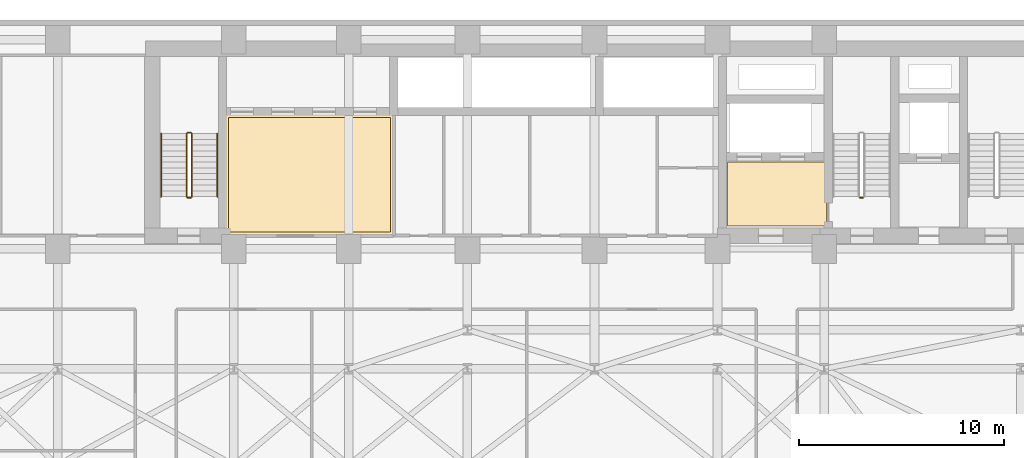
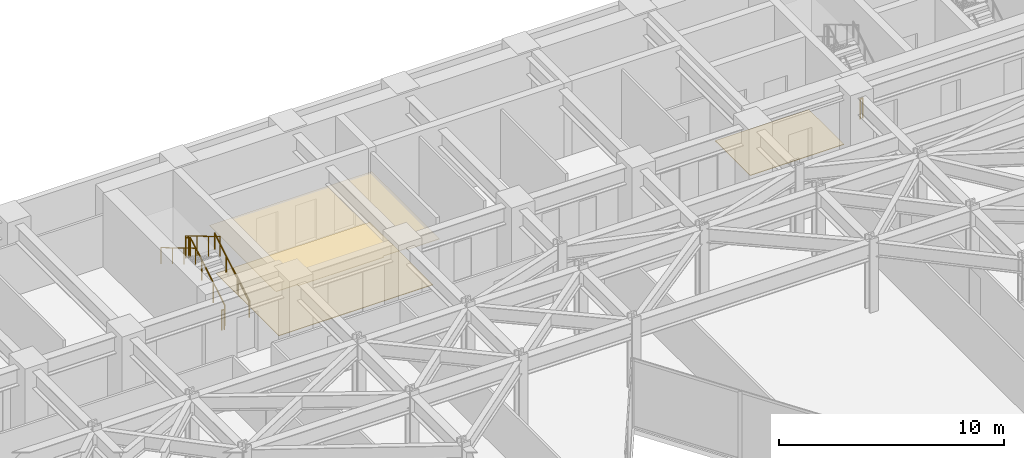
# One storey, part 23 of 24: 7 railings, 3 coverings.
"""IFC4 building model written with IfcOpenShell, lengths in metres."""

from ifc_helpers import new_model, si_unit, direction, frame, origin, origin_2d, place, context, subcontext, project, spatial, polyline, circle, outline, extrude, material, layer, layer_set, type_object, element, save


model = new_model("IFC4")

# Units and contexts
model_context = context("Model", 3, precision=1e-05, world=origin(), true_north=direction((0.0, 1.0)))
body_context = subcontext(model_context, "Body", "Model", "MODEL_VIEW")
ifc_project = project(units=[si_unit("LENGTHUNIT", "METRE"), si_unit("AREAUNIT", "SQUARE_METRE"), si_unit("VOLUMEUNIT", "CUBIC_METRE"), si_unit("PLANEANGLEUNIT", "RADIAN"), si_unit("MASSUNIT", "GRAM", prefix="KILO")], contexts=[model_context])

# Site, building, storey
site_placement = place(None, origin())
site = spatial("IfcSite", under=ifc_project, at=site_placement, CompositionType="ELEMENT")
building_placement = place(site_placement, origin())
building = spatial("IfcBuilding", under=site, at=building_placement, Name="Kravanh Interchange Tower", CompositionType="ELEMENT")
storey_placement = place(building_placement, frame((0.0, 0.0, 77.5)))
storey = spatial("IfcBuildingStorey", under=building, at=storey_placement, Name="L18", CompositionType="ELEMENT", Elevation=77.5)

# Coverings
ifc_material_1 = material(Name="Cementitious Terrazzo Tile")
ifc_layer_1 = layer(ifc_material_1, 0.030029296875)
ifc_layer_set_1 = layer_set([ifc_layer_1], Name="Honed Terrazzo Lobby Flooring 30mm")
covering_type_1 = type_object("IfcCoveringType", Name="Honed Terrazzo Lobby Flooring 30mm", PredefinedType="FLOORING", material=ifc_layer_set_1)
covering_1_placement = place(storey_placement, origin())
element("IfcCovering", 1, at=covering_1_placement, inside=storey, type_object=covering_type_1, Name="L18 Firefighting Lobby Floor Finish", PredefinedType="FLOORING", context=body_context, shape_type="SweptSolid", body=[
    extrude(outline(polyline([(56.1201171875, 38.4599609375), (51.300048828125, 38.4599609375), (51.300048828125, 41.580078125), (56.1201171875, 41.580078125), (56.1201171875, 38.4599609375)])), origin(), (0.0, 0.0, 1.0), 0.030029296875),
])
covering_2_placement = place(storey_placement, origin())
element("IfcCovering", 2, at=covering_2_placement, inside=storey, type_object=covering_type_1, Name="L18 Low-Rise Lift Lobby Floor Finish", PredefinedType="FLOORING", context=body_context, shape_type="SweptSolid", body=[
    extrude(outline(polyline([(26.929931640625, 43.77001953125), (34.840087890625, 43.77001953125), (34.840087890625, 38.179931640625), (26.929931640625, 38.179931640625), (26.929931640625, 43.77001953125)])), origin(), (0.0, 0.0, 1.0), 0.030029296875),
])
ifc_material_2 = material(Name="Acoustic Mineral Fibre Tile on Aluminium Grid", Category="aluminium")
ifc_layer_2 = layer(ifc_material_2, 0.02490234375)
ifc_layer_set_2 = layer_set([ifc_layer_2], Name="Perforated Acoustic Mineral Ceiling 25mm")
covering_type_2 = type_object("IfcCoveringType", Name="Perforated Acoustic Mineral Ceiling 25mm", PredefinedType="CEILING", material=ifc_layer_set_2)
covering_3_placement = place(storey_placement, frame((0.0, 0.0, 2.550048828125)))
element("IfcCovering", 3, at=covering_3_placement, inside=storey, type_object=covering_type_2, Name="L18 Low-Rise Lift Lobby Suspended Ceiling", PredefinedType="CEILING", context=body_context, shape_type="SweptSolid", body=[
    extrude(outline(polyline([(35.06005859375, 37.9599609375), (33.39990234375, 37.9599609375), (33.39990234375, 38.050048828125), (32.199951171875, 38.050048828125), (32.199951171875, 37.9599609375), (27.800048828125, 37.9599609375), (27.800048828125, 38.050048828125), (26.7099609375, 38.050048828125), (26.7099609375, 43.989990234375), (35.06005859375, 43.989990234375), (35.06005859375, 37.9599609375)])), origin(), (0.0, 0.0, 1.0), 0.02490234375),
])

# Railings
ifc_material_3 = material(Name="Structural Steel S355", Category="steel")
ifc_layer_3 = layer(ifc_material_3, 0.050048828125)
ifc_layer_set_3 = layer_set([ifc_layer_3], Name="Stair Well Guardrail Structural Steel S355 1100mm")
railing_type_1 = type_object("IfcRailingType", Name="Stair Well Guardrail Structural Steel S355 1100mm", PredefinedType="GUARDRAIL", material=ifc_layer_set_3)
railing_1_placement = place(storey_placement, frame((57.89990234375, 39.85009765625, 0.0)))
element("IfcRailing", 4, at=railing_1_placement, inside=storey, type_object=railing_type_1, Name="L18 ST2 stair guard 4", PredefinedType="GUARDRAIL", context=body_context, shape_type="SweptSolid", body=[
    extrude(circle(Radius=0.02392578125, at=origin_2d()), frame((0.0, 0.0, 1.076171875), z_axis=(-1.0, 0.0, 0.0), x_axis=(0.0, -1.0, 0.0)), (0.0, 0.0, 1.0), 0.14990234375),
    extrude(circle(Radius=0.02099609375, at=origin_2d()), origin(), (0.0, 0.0, 1.0), 1.052001953125),
    extrude(circle(Radius=0.02099609375, at=origin_2d()), frame((-0.14990234375, 0.0, 0.0)), (0.0, 0.0, 1.0), 1.052001953125),
])
railing_2_placement = place(storey_placement, frame((25.14990234375, 39.89990234375, 0.166748046875)))
element("IfcRailing", 5, at=railing_2_placement, inside=storey, type_object=railing_type_1, Name="L18 ST3 stair guard 1", PredefinedType="GUARDRAIL", context=body_context, shape_type="SweptSolid", body=[
    extrude(circle(Radius=0.02392578125, at=origin_2d()), frame((0.0, 0.0, 1.076171875), z_axis=(0.0, 0.859308565015, 0.511457515432), x_axis=(-1.0, 0.0, 0.0)), (0.0, 0.0, 1.0), 3.58447265625),
    extrude(circle(Radius=0.02099609375, at=origin_2d()), origin(), (0.0, 0.0, 1.0), 1.052001953125),
    extrude(circle(Radius=0.02099609375, at=origin_2d()), frame((0.0, 1.026611328125, 0.611083984375)), (0.0, 0.0, 1.0), 1.052001953125),
    extrude(circle(Radius=0.02099609375, at=origin_2d()), frame((0.0, 2.053466796875, 1.22216796875)), (0.0, 0.0, 1.0), 1.052001953125),
    extrude(circle(Radius=0.02099609375, at=origin_2d()), frame((0.0, 3.080078125, 1.833251953125)), (0.0, 0.0, 1.0), 1.052001953125),
])
railing_3_placement = place(storey_placement, frame((25.10009765625, 43.030029296875, 2.0)))
element("IfcRailing", 6, at=railing_3_placement, inside=storey, type_object=railing_type_1, Name="L18 ST3 stair guard 2", PredefinedType="GUARDRAIL", context=body_context, shape_type="SweptSolid", body=[
    extrude(circle(Radius=0.02392578125, at=origin_2d()), frame((0.0, 0.0, 1.076171875), z_axis=(-1.0, 0.0, 0.0), x_axis=(0.0, -1.0, 0.0)), (0.0, 0.0, 1.0), 0.150146484375),
    extrude(circle(Radius=0.02099609375, at=origin_2d()), origin(), (0.0, 0.0, 1.0), 1.052001953125),
    extrude(circle(Radius=0.02099609375, at=origin_2d()), frame((-0.150146484375, 0.0, 0.0)), (0.0, 0.0, 1.0), 1.052001953125),
])
railing_4_placement = place(storey_placement, frame((24.89990234375, 42.97998046875, 2.166748046875)))
element("IfcRailing", 7, at=railing_4_placement, inside=storey, type_object=railing_type_1, Name="L18 ST3 stair guard 3", PredefinedType="GUARDRAIL", context=body_context, shape_type="SweptSolid", body=[
    extrude(circle(Radius=0.02392578125, at=origin_2d()), frame((0.0, 0.0, 1.076171875), z_axis=(0.0, -0.859308565015, 0.511457515432), x_axis=(1.0, 0.0, 0.0)), (0.0, 0.0, 1.0), 3.58447265625),
    extrude(circle(Radius=0.02099609375, at=origin_2d()), origin(), (0.0, 0.0, 1.0), 1.052001953125),
    extrude(circle(Radius=0.02099609375, at=origin_2d()), frame((0.0, -1.026611328125, 0.611083984375)), (0.0, 0.0, 1.0), 1.052001953125),
    extrude(circle(Radius=0.02099609375, at=origin_2d()), frame((0.0, -2.053466796875, 1.22216796875)), (0.0, 0.0, 1.0), 1.052001953125),
    extrude(circle(Radius=0.02099609375, at=origin_2d()), frame((0.0, -3.080078125, 1.833251953125)), (0.0, 0.0, 1.0), 1.052001953125),
])
railing_5_placement = place(storey_placement, frame((25.10009765625, 39.85009765625, 0.0)))
element("IfcRailing", 8, at=railing_5_placement, inside=storey, type_object=railing_type_1, Name="L18 ST3 stair guard 4", PredefinedType="GUARDRAIL", context=body_context, shape_type="SweptSolid", body=[
    extrude(circle(Radius=0.02392578125, at=origin_2d()), frame((0.0, 0.0, 1.076171875), z_axis=(-1.0, 0.0, 0.0), x_axis=(0.0, -1.0, 0.0)), (0.0, 0.0, 1.0), 0.150146484375),
    extrude(circle(Radius=0.02099609375, at=origin_2d()), origin(), (0.0, 0.0, 1.0), 1.052001953125),
    extrude(circle(Radius=0.02099609375, at=origin_2d()), frame((-0.150146484375, 0.0, 0.0)), (0.0, 0.0, 1.0), 1.052001953125),
])
ifc_material_4 = material(Name="Stainless Steel 304", Category="steel")
ifc_layer_4 = layer(ifc_material_4, 0.044921875)
ifc_layer_set_4 = layer_set([ifc_layer_4], Name="Tubular Stair Handrail Stainless 304 900mm")
railing_type_2 = type_object("IfcRailingType", Name="Tubular Stair Handrail Stainless 304 900mm", PredefinedType="HANDRAIL", material=ifc_layer_set_4)
railing_6_placement = place(storey_placement, frame((26.39990234375, 39.89990234375, 0.166748046875)))
element("IfcRailing", 9, at=railing_6_placement, inside=storey, type_object=railing_type_2, Name="L18 ST3 stair handrail 1", PredefinedType="HANDRAIL", context=body_context, shape_type="SweptSolid", body=[
    extrude(circle(Radius=0.02392578125, at=origin_2d()), frame((0.0, 0.0, 0.8759765625), z_axis=(0.0, 0.859308565015, 0.511457515432), x_axis=(-1.0, 0.0, 0.0)), (0.0, 0.0, 1.0), 3.58447265625),
    extrude(circle(Radius=0.02099609375, at=origin_2d()), origin(), (0.0, 0.0, 1.0), 0.851806640625),
    extrude(circle(Radius=0.02099609375, at=origin_2d()), frame((0.0, 1.026611328125, 0.611083984375)), (0.0, 0.0, 1.0), 0.851806640625),
    extrude(circle(Radius=0.02099609375, at=origin_2d()), frame((0.0, 2.053466796875, 1.22216796875)), (0.0, 0.0, 1.0), 0.851806640625),
    extrude(circle(Radius=0.02099609375, at=origin_2d()), frame((0.0, 3.080078125, 1.833251953125)), (0.0, 0.0, 1.0), 0.851806640625),
])
railing_7_placement = place(storey_placement, frame((23.64990234375, 42.97998046875, 2.166748046875)))
element("IfcRailing", 10, at=railing_7_placement, inside=storey, type_object=railing_type_2, Name="L18 ST3 stair handrail 2", PredefinedType="HANDRAIL", context=body_context, shape_type="SweptSolid", body=[
    extrude(circle(Radius=0.02392578125, at=origin_2d()), frame((0.0, 0.0, 0.8759765625), z_axis=(0.0, -0.859308565015, 0.511457515432), x_axis=(1.0, 0.0, 0.0)), (0.0, 0.0, 1.0), 3.58447265625),
    extrude(circle(Radius=0.02099609375, at=origin_2d()), origin(), (0.0, 0.0, 1.0), 0.851806640625),
    extrude(circle(Radius=0.02099609375, at=origin_2d()), frame((0.0, -1.026611328125, 0.611083984375)), (0.0, 0.0, 1.0), 0.851806640625),
    extrude(circle(Radius=0.02099609375, at=origin_2d()), frame((0.0, -2.053466796875, 1.22216796875)), (0.0, 0.0, 1.0), 0.851806640625),
    extrude(circle(Radius=0.02099609375, at=origin_2d()), frame((0.0, -3.080078125, 1.833251953125)), (0.0, 0.0, 1.0), 0.851806640625),
])

save(model, "model.ifc")
